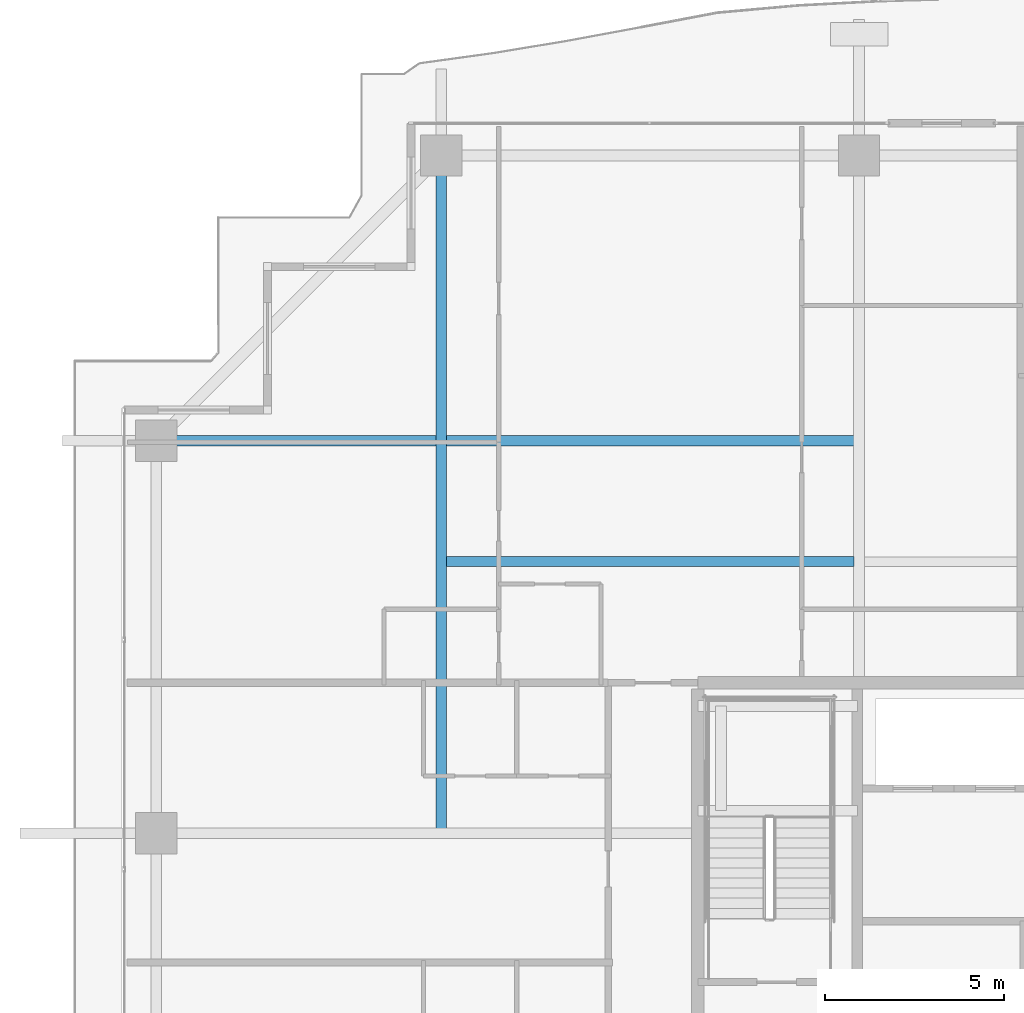
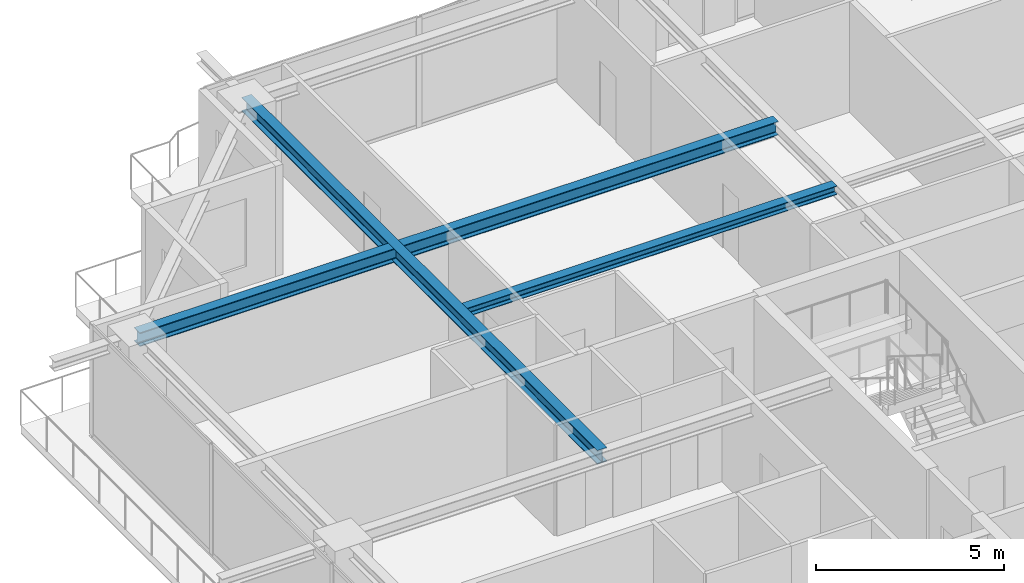
# One storey, part 17 of 37: 3 beams.
"""IFC4 building model written with IfcOpenShell, lengths in metres."""

from ifc_helpers import new_model, si_unit, direction, frame, origin, origin_2d, place, context, subcontext, project, spatial, i_section, extrude, source, transform, mapped, material, material_profile, profile_set, type_object, element, save


model = new_model("IFC4")

# Units and contexts
model_context = context("Model", 3, precision=1e-05, world=origin(), true_north=direction((0.0, 1.0)))
body_context = subcontext(model_context, "Body", "Model", "MODEL_VIEW")
ifc_project = project(units=[si_unit("LENGTHUNIT", "METRE"), si_unit("AREAUNIT", "SQUARE_METRE"), si_unit("VOLUMEUNIT", "CUBIC_METRE"), si_unit("PLANEANGLEUNIT", "RADIAN"), si_unit("MASSUNIT", "GRAM", prefix="KILO")], contexts=[model_context])

# Site, building, storey
site_placement = place(None, origin())
site = spatial("IfcSite", under=ifc_project, at=site_placement, CompositionType="ELEMENT")
building_placement = place(site_placement, origin())
building = spatial("IfcBuilding", under=site, at=building_placement, Name="Serunith Strait Residences", CompositionType="ELEMENT")
storey_placement = place(building_placement, frame((0.0, 0.0, 233.550048828125)))
storey = spatial("IfcBuildingStorey", under=building, at=storey_placement, Name="L58", CompositionType="ELEMENT", Elevation=233.550048828125)

# Beams
ifc_material = material(Name="Steel S355J2", Category="steel")
ifc_material_profile_1 = material_profile(ifc_material, i_section(OverallWidth=0.300048828125, OverallDepth=0.449951171875, WebThickness=0.013916015625, FlangeThickness=0.02587890625, FilletRadius=0.027099609375, at=origin_2d()), Name="HEB 450")
ifc_profile_set_1 = profile_set([ifc_material_profile_1], Name="Steel S355J2")
beam_type_1 = type_object("IfcBeamType", Name="BM-HEB450", PredefinedType="BEAM", material=ifc_profile_set_1)
shared_shape_1 = source(origin(), body_context, "Body", "SweptSolid", [
    extrude(i_section(OverallWidth=0.300048828125, OverallDepth=0.449951171875, WebThickness=0.013916015625, FlangeThickness=0.02587890625, FilletRadius=0.027099609375, at=origin_2d()), origin(), (0.0, 0.0, 1.0), 18.900146484375),
])
beam_1_placement = place(storey_placement, frame((16.25, 29.39990234375, 3.362060546875), z_axis=(0.0, 1.0, 0.0), x_axis=(-1.0, 0.0, 0.0)))
element("IfcBeam", 1, at=beam_1_placement, inside=storey, type_object=beam_type_1, Name="L58 Orthogonal Corner Girder TC-N1", PredefinedType="BEAM", context=body_context, shape_type="MappedRepresentation", body=[
    mapped(shared_shape_1, transform((0.0, 0.0, 0.0), scale=1.0)),
])
shared_shape_2 = source(origin(), body_context, "Body", "SweptSolid", [
    extrude(i_section(OverallWidth=0.300048828125, OverallDepth=0.449951171875, WebThickness=0.013916015625, FlangeThickness=0.02587890625, FilletRadius=0.027099609375, at=origin_2d()), origin(), (0.0, 0.0, 1.0), 19.599853515625),
])
beam_2_placement = place(storey_placement, frame((27.89990234375, 40.35009765625, 3.362060546875), z_axis=(-1.0, 0.0, 0.0), x_axis=(0.0, -1.0, 0.0)))
element("IfcBeam", 2, at=beam_2_placement, inside=storey, type_object=beam_type_1, Name="L58 Orthogonal Corner Girder TC-W4", PredefinedType="BEAM", context=body_context, shape_type="MappedRepresentation", body=[
    mapped(shared_shape_2, transform((0.0, 0.0, 0.0), scale=1.0)),
])
ifc_material_profile_2 = material_profile(ifc_material, i_section(OverallWidth=0.280029296875, OverallDepth=0.280029296875, WebThickness=0.010498046875, FlangeThickness=0.01806640625, FilletRadius=0.02392578125, at=origin_2d()), Name="HEB 280")
ifc_profile_set_2 = profile_set([ifc_material_profile_2], Name="Steel S355J2")
beam_type_2 = type_object("IfcBeamType", Name="BM-HEB280", PredefinedType="JOIST", material=ifc_profile_set_2)
shared_shape_3 = source(origin(), body_context, "Body", "SweptSolid", [
    extrude(i_section(OverallWidth=0.280029296875, OverallDepth=0.280029296875, WebThickness=0.010498046875, FlangeThickness=0.01806640625, FilletRadius=0.02392578125, at=origin_2d()), origin(), (0.0, 0.0, 1.0), 11.35009765625),
])
beam_3_placement = place(storey_placement, frame((16.39990234375, 36.97509765625, 3.447021484375), z_axis=(1.0, 0.0, 0.0), x_axis=(0.0, 1.0, 0.0)))
element("IfcBeam", 3, at=beam_3_placement, inside=storey, type_object=beam_type_2, Name="L58 Composite Floor Joist 04", PredefinedType="JOIST", context=body_context, shape_type="MappedRepresentation", body=[
    mapped(shared_shape_3, transform((0.0, 0.0, 0.0), scale=1.0)),
])

save(model, "model.ifc")
